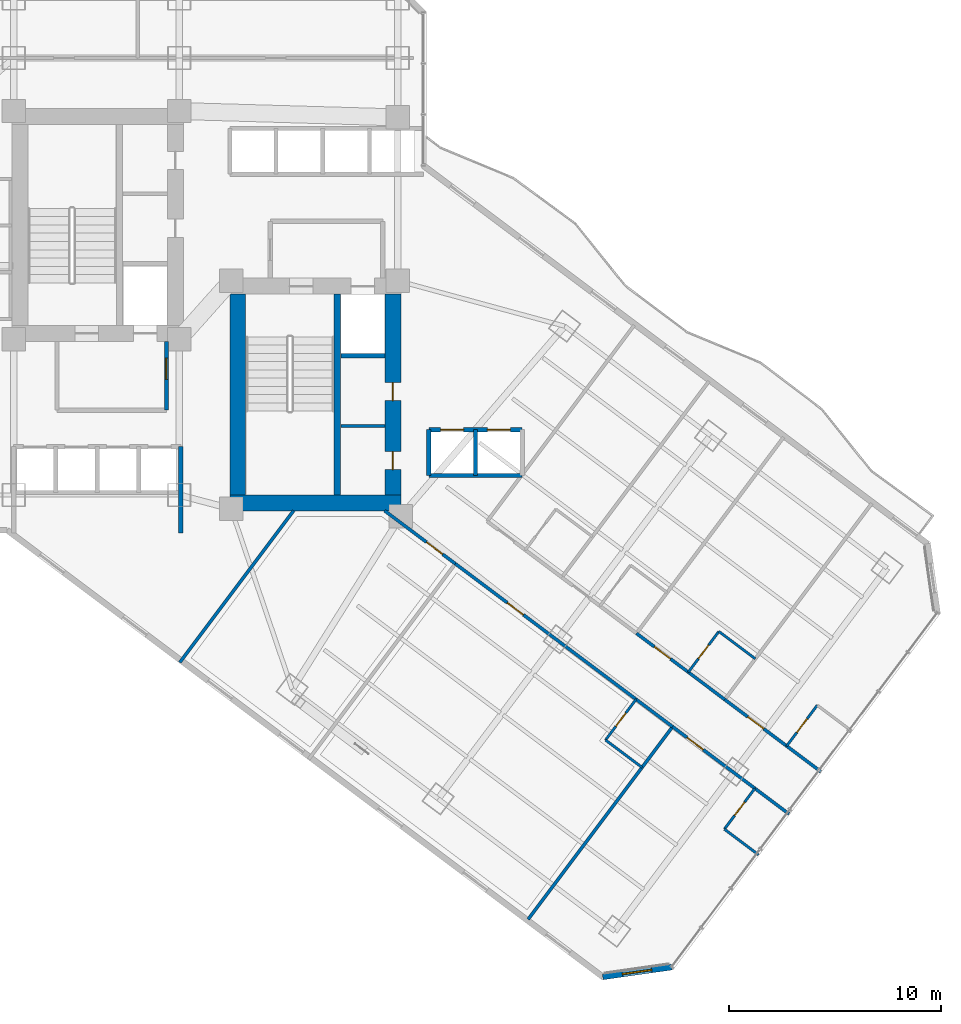
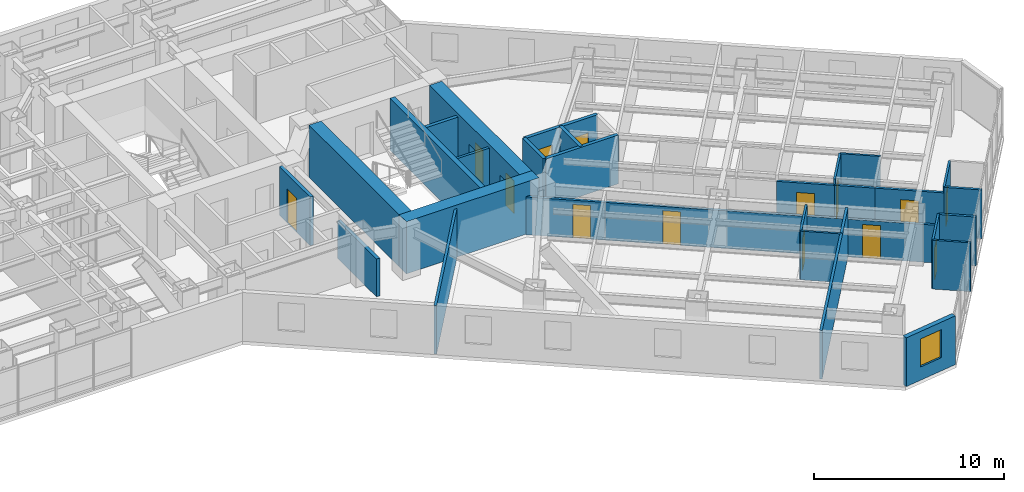
# One storey, part 23 of 32: 31 walls, 14 doors, 1 window, 15 openings.
"""IFC4 building model written with IfcOpenShell, lengths in metres."""

from ifc_helpers import new_model, si_unit, direction, frame, frame_2d, origin, place, context, subcontext, project, spatial, rectangle, extrude, material, layer, layer_set, type_object, element, fill, save


model = new_model("IFC4")

# Units and contexts
model_context = context("Model", 3, precision=1e-05, world=origin(), true_north=direction((0.0, 1.0)))
body_context = subcontext(model_context, "Body", "Model", "MODEL_VIEW")
ifc_project = project(units=[si_unit("LENGTHUNIT", "METRE"), si_unit("AREAUNIT", "SQUARE_METRE"), si_unit("VOLUMEUNIT", "CUBIC_METRE"), si_unit("PLANEANGLEUNIT", "RADIAN"), si_unit("MASSUNIT", "GRAM", prefix="KILO")], contexts=[model_context])

# Site, building, storey
site_placement = place(None, origin())
site = spatial("IfcSite", under=ifc_project, at=site_placement, CompositionType="ELEMENT")
building_placement = place(site_placement, origin())
building = spatial("IfcBuilding", under=site, at=building_placement, Name="Hatsunagi Terrace Concourse", CompositionType="ELEMENT")
storey_placement = place(building_placement, frame((0.0, 0.0, 46.64990234375)))
storey = spatial("IfcBuildingStorey", under=building, at=storey_placement, Name="L11", CompositionType="ELEMENT", Elevation=46.64990234375)

# Walls
ifc_material_1 = material(Name="Concrete Fc60", Category="concrete")
ifc_layer_1 = layer(ifc_material_1, 0.75)
ifc_layer_set_1 = layer_set([ifc_layer_1], Name="CoreShearWall_Fc60_750")
wall_type_1 = type_object("IfcWallType", Name="CoreShearWall_Fc60_750", PredefinedType="SHEAR", material=ifc_layer_set_1)
wall_1_placement = place(storey_placement, frame((35.739990234375, 24.81494140625, 0.0), z_axis=(0.0, 0.0, 1.0), x_axis=(1.0, 0.0, 0.0)))
element("IfcWall", 1, at=wall_1_placement, inside=storey, type_object=wall_type_1, Name="Core B Shear Wall S L11", PredefinedType="SHEAR", context=body_context, shape_type="SweptSolid", body=[
    extrude(rectangle(XDim=8.06005859375, YDim=0.75, at=frame_2d((4.030029296875, 0.0))), origin(), (0.0, 0.0, 1.0), 3.35009765625),
])
wall_2_placement = place(storey_placement, frame((36.114990234375, 25.18994140625, 0.0), z_axis=(0.0, 0.0, 1.0), x_axis=(0.0, 1.0, 0.0)))
element("IfcWall", 2, at=wall_2_placement, inside=storey, type_object=wall_type_1, Name="Core B Shear Wall W L11", PredefinedType="SHEAR", context=body_context, shape_type="SweptSolid", body=[
    extrude(rectangle(XDim=9.47998046875, YDim=0.75, at=frame_2d((4.739990234375, 0.0))), origin(), (0.0, 0.0, 1.0), 3.35009765625),
])

# Wall, openings, doors
wall_3_placement = place(storey_placement, frame((43.425048828125, 25.18994140625, 0.0), z_axis=(0.0, 0.0, 1.0), x_axis=(0.0, 1.0, 0.0)))
wall_3 = element("IfcWall", 3, at=wall_3_placement, inside=storey, type_object=wall_type_1, Name="Core B Shear Wall E L11", PredefinedType="SHEAR", context=body_context, shape_type="SweptSolid", body=[
    extrude(rectangle(XDim=9.47998046875, YDim=0.75, at=frame_2d((4.739990234375, 0.0))), origin(), (0.0, 0.0, 1.0), 3.35009765625),
])
opening_1_placement = place(wall_3_placement, frame((1.2099609375, 0.0, 0.0)))
opening_1 = element("IfcOpeningElement", 4, at=opening_1_placement, cuts=wall_3, Name="Opening DR-085", PredefinedType="OPENING", context=body_context, shape_type="SweptSolid", body=[
    extrude(rectangle(XDim=0.85009765625, YDim=2.080078125, at=frame_2d((0.425048828125, 1.0400390625))), frame((0.0, 0.385009765625, 0.0), z_axis=(0.0, -1.0, 0.0), x_axis=(1.0, 0.0, 0.0)), (0.0, 0.0, 1.0), 0.77001953125),
])
opening_2_placement = place(wall_3_placement, frame((4.4599609375, 0.0, 0.0)))
opening_2 = element("IfcOpeningElement", 5, at=opening_2_placement, cuts=wall_3, Name="Opening DR-085", PredefinedType="OPENING", context=body_context, shape_type="SweptSolid", body=[
    extrude(rectangle(XDim=0.85009765625, YDim=2.080078125, at=frame_2d((0.425048828125, 1.0400390625))), frame((0.0, 0.385009765625, 0.0), z_axis=(0.0, -1.0, 0.0), x_axis=(1.0, 0.0, 0.0)), (0.0, 0.0, 1.0), 0.77001953125),
])
ifc_material_2 = material(Name="Painted steel", Category="steel")
door_type_1 = type_object("IfcDoorType", Name="RiserAccessDoor_EI60_850", OperationType="NOTDEFINED", PredefinedType="DOOR", material=ifc_material_2)
door_1_placement = place(opening_1_placement, origin())
door_1 = element("IfcDoor", 6, at=door_1_placement, inside=storey, type_object=door_type_1, Name="Core B Riser Door L11-1", OperationType="SINGLE_SWING_RIGHT", OverallHeight=2.080078125, OverallWidth=0.85009765625, PredefinedType="DOOR", context=body_context, shape_type="SweptSolid", body=[
    extrude(rectangle(XDim=0.85009765625, YDim=2.080078125, at=frame_2d((0.425048828125, 1.0400390625))), frame((0.0, 0.02490234375, 0.0), z_axis=(0.0, -1.0, 0.0), x_axis=(1.0, 0.0, 0.0)), (0.0, 0.0, 1.0), 0.050048828125),
])
fill(opening_1, door_1)
door_2_placement = place(opening_2_placement, origin())
door_2 = element("IfcDoor", 7, at=door_2_placement, inside=storey, type_object=door_type_1, Name="Core B Riser Door L11-2", OperationType="SINGLE_SWING_RIGHT", OverallHeight=2.080078125, OverallWidth=0.85009765625, PredefinedType="DOOR", context=body_context, shape_type="SweptSolid", body=[
    extrude(rectangle(XDim=0.85009765625, YDim=2.080078125, at=frame_2d((0.425048828125, 1.0400390625))), frame((0.0, 0.02490234375, 0.0), z_axis=(0.0, -1.0, 0.0), x_axis=(1.0, 0.0, 0.0)), (0.0, 0.0, 1.0), 0.050048828125),
])
fill(opening_2, door_2)

# Wall
ifc_material_3 = material(Name="Concrete Fc48", Category="concrete")
ifc_layer_2 = layer(ifc_material_3, 0.300048828125)
ifc_layer_set_2 = layer_set([ifc_layer_2], Name="CoreStairDivider_Fc48_300")
wall_type_2 = type_object("IfcWallType", Name="CoreStairDivider_Fc48_300", PredefinedType="SHEAR", material=ifc_layer_set_2)
wall_4_placement = place(storey_placement, frame((40.81005859375, 25.18994140625, 0.0), z_axis=(0.0, 0.0, 1.0), x_axis=(0.0, 1.0, 0.0)))
element("IfcWall", 8, at=wall_4_placement, inside=storey, type_object=wall_type_2, Name="Core B Shear Wall D L11", PredefinedType="SHEAR", context=body_context, shape_type="SweptSolid", body=[
    extrude(rectangle(XDim=9.47998046875, YDim=0.300048828125, at=frame_2d((4.739990234375, 0.0))), origin(), (0.0, 0.0, 1.0), 3.35009765625),
])

# Wall, opening, door
ifc_material_4 = material(Name="Acoustic mineral board", Category="gypsum")
ifc_layer_3 = layer(ifc_material_4, 0.1201171875)
ifc_layer_set_3 = layer_set([ifc_layer_3], Name="PartitionWall_EI30_120")
wall_type_3 = type_object("IfcWallType", Name="PartitionWall_EI30_120", PredefinedType="PARTITIONING", material=ifc_layer_set_3)
wall_5_placement = place(storey_placement, frame((57.35009765625, 16.85009765625, 0.0), z_axis=(0.0, 0.0, 1.0), x_axis=(0.6, 0.8, 0.0)))
wall_5 = element("IfcWall", 9, at=wall_5_placement, inside=storey, type_object=wall_type_3, Name="Interior Partition IW-L11-094", PredefinedType="PARTITIONING", context=body_context, shape_type="SweptSolid", body=[
    extrude(rectangle(XDim=2.39990234375, YDim=0.1201171875, at=frame_2d((1.199951171875, 0.0))), origin(), (0.0, 0.0, 1.0), 3.130126953125),
])
opening_3_placement = place(wall_5_placement, frame((0.800048828125, 0.0, 0.0)))
opening_3 = element("IfcOpeningElement", 10, at=opening_3_placement, cuts=wall_5, Name="Opening DR-080", PredefinedType="OPENING", context=body_context, shape_type="SweptSolid", body=[
    extrude(rectangle(XDim=0.800048828125, YDim=2.06005859375, at=frame_2d((0.39990234375, 1.030029296875))), frame((0.0, 0.070068359375, 0.0), z_axis=(0.0, -1.0, 0.0), x_axis=(1.0, 0.0, 0.0)), (0.0, 0.0, 1.0), 0.14013671875),
])
ifc_material_5 = material(Name="Hardwood timber", Category="wood")
door_type_2 = type_object("IfcDoorType", Name="BathroomDoor_800", OperationType="NOTDEFINED", PredefinedType="DOOR", material=ifc_material_5)
door_3_placement = place(opening_3_placement, origin())
door_3 = element("IfcDoor", 11, at=door_3_placement, inside=storey, type_object=door_type_2, Name="En-Suite Bathroom L11-SENE3 Door", OperationType="SINGLE_SWING_LEFT", OverallHeight=2.06005859375, OverallWidth=0.800048828125, PredefinedType="DOOR", context=body_context, shape_type="SweptSolid", body=[
    extrude(rectangle(XDim=0.800048828125, YDim=2.06005859375, at=frame_2d((0.39990234375, 1.030029296875))), frame((0.0, 0.02490234375, 0.0), z_axis=(0.0, -1.0, 0.0), x_axis=(1.0, 0.0, 0.0)), (0.0, 0.0, 1.0), 0.050048828125),
])
fill(opening_3, door_3)

# Wall
wall_6_placement = place(storey_placement, frame((58.7900390625, 18.77001953125, 0.0), z_axis=(0.0, 0.0, 1.0), x_axis=(0.79998637334, -0.60001816845, 0.0)))
element("IfcWall", 12, at=wall_6_placement, inside=storey, type_object=wall_type_3, Name="Interior Partition IW-L11-095", PredefinedType="PARTITIONING", context=body_context, shape_type="SweptSolid", body=[
    extrude(rectangle(XDim=2.14990234375, YDim=0.1201171875, at=frame_2d((1.074951171875, 0.0))), origin(), (0.0, 0.0, 1.0), 3.130126953125),
])

# Wall, opening, door
wall_7_placement = place(storey_placement, frame((61.989990234375, 13.3701171875, 0.0), z_axis=(0.0, 0.0, 1.0), x_axis=(0.6, 0.8, 0.0)))
wall_7 = element("IfcWall", 13, at=wall_7_placement, inside=storey, type_object=wall_type_3, Name="Interior Partition IW-L11-099", PredefinedType="PARTITIONING", context=body_context, shape_type="SweptSolid", body=[
    extrude(rectangle(XDim=2.39990234375, YDim=0.1201171875, at=frame_2d((1.199951171875, 0.0))), origin(), (0.0, 0.0, 1.0), 3.130126953125),
])
opening_4_placement = place(wall_7_placement, frame((0.800048828125, 0.0, 0.0)))
opening_4 = element("IfcOpeningElement", 14, at=opening_4_placement, cuts=wall_7, Name="Opening DR-080", PredefinedType="OPENING", context=body_context, shape_type="SweptSolid", body=[
    extrude(rectangle(XDim=0.800048828125, YDim=2.06005859375, at=frame_2d((0.39990234375, 1.030029296875))), frame((0.0, 0.070068359375, 0.0), z_axis=(0.0, -1.0, 0.0), x_axis=(1.0, 0.0, 0.0)), (0.0, 0.0, 1.0), 0.14013671875),
])
door_4_placement = place(opening_4_placement, origin())
door_4 = element("IfcDoor", 15, at=door_4_placement, inside=storey, type_object=door_type_2, Name="En-Suite Bathroom L11-SENE4 Door", OperationType="SINGLE_SWING_RIGHT", OverallHeight=2.06005859375, OverallWidth=0.800048828125, PredefinedType="DOOR", context=body_context, shape_type="SweptSolid", body=[
    extrude(rectangle(XDim=0.800048828125, YDim=2.06005859375, at=frame_2d((0.39990234375, 1.030029296875))), frame((0.0, 0.02490234375, 0.0), z_axis=(0.0, -1.0, 0.0), x_axis=(1.0, 0.0, 0.0)), (0.0, 0.0, 1.0), 0.050048828125),
])
fill(opening_4, door_4)

wall_8_placement = place(storey_placement, frame((53.449951171875, 13.64990234375, 0.0), z_axis=(0.0, 0.0, 1.0), x_axis=(0.599951172744, 0.800036618114, 0.0)))
wall_8 = element("IfcWall", 16, at=wall_8_placement, inside=storey, type_object=wall_type_3, Name="Interior Partition IW-L11-103", PredefinedType="PARTITIONING", context=body_context, shape_type="SweptSolid", body=[
    extrude(rectangle(XDim=2.400146484375, YDim=0.1201171875, at=frame_2d((1.2001953125, 0.0))), origin(), (0.0, 0.0, 1.0), 3.130126953125),
])
opening_5_placement = place(wall_8_placement, frame((0.800048828125, 0.0, 0.0)))
opening_5 = element("IfcOpeningElement", 17, at=opening_5_placement, cuts=wall_8, Name="Opening DR-080", PredefinedType="OPENING", context=body_context, shape_type="SweptSolid", body=[
    extrude(rectangle(XDim=0.800048828125, YDim=2.06005859375, at=frame_2d((0.39990234375, 1.030029296875))), frame((0.0, 0.070068359375, 0.0), z_axis=(0.0, -1.0, 0.0), x_axis=(1.0, 0.0, 0.0)), (0.0, 0.0, 1.0), 0.14013671875),
])
door_5_placement = place(opening_5_placement, origin())
door_5 = element("IfcDoor", 18, at=door_5_placement, inside=storey, type_object=door_type_2, Name="En-Suite Bathroom L11-SESW1 Door", OperationType="SINGLE_SWING_RIGHT", OverallHeight=2.06005859375, OverallWidth=0.800048828125, PredefinedType="DOOR", context=body_context, shape_type="SweptSolid", body=[
    extrude(rectangle(XDim=0.800048828125, YDim=2.06005859375, at=frame_2d((0.39990234375, 1.030029296875))), frame((0.0, 0.02490234375, 0.0), z_axis=(0.0, -1.0, 0.0), x_axis=(1.0, 0.0, 0.0)), (0.0, 0.0, 1.0), 0.050048828125),
])
fill(opening_5, door_5)

# Wall
wall_9_placement = place(storey_placement, frame((53.449951171875, 13.64990234375, 0.0), z_axis=(0.0, 0.0, 1.0), x_axis=(0.800040880289, -0.59994548908, 0.0)))
element("IfcWall", 19, at=wall_9_placement, inside=storey, type_object=wall_type_3, Name="Interior Partition IW-L11-104", PredefinedType="PARTITIONING", context=body_context, shape_type="SweptSolid", body=[
    extrude(rectangle(XDim=2.14990234375, YDim=0.1201171875, at=frame_2d((1.074951171875, 0.0))), origin(), (0.0, 0.0, 1.0), 3.130126953125),
])

# Wall, opening, door
wall_10_placement = place(storey_placement, frame((59.050048828125, 9.449951171875, 0.0), z_axis=(0.0, 0.0, 1.0), x_axis=(0.599951172744, 0.800036618114, 0.0)))
wall_10 = element("IfcWall", 20, at=wall_10_placement, inside=storey, type_object=wall_type_3, Name="Interior Partition IW-L11-108", PredefinedType="PARTITIONING", context=body_context, shape_type="SweptSolid", body=[
    extrude(rectangle(XDim=2.400146484375, YDim=0.1201171875, at=frame_2d((1.2001953125, 0.0))), origin(), (0.0, 0.0, 1.0), 3.130126953125),
])
opening_6_placement = place(wall_10_placement, frame((0.800048828125, 0.0, 0.0)))
opening_6 = element("IfcOpeningElement", 21, at=opening_6_placement, cuts=wall_10, Name="Opening DR-080", PredefinedType="OPENING", context=body_context, shape_type="SweptSolid", body=[
    extrude(rectangle(XDim=0.800048828125, YDim=2.06005859375, at=frame_2d((0.39990234375, 1.030029296875))), frame((0.0, 0.070068359375, 0.0), z_axis=(0.0, -1.0, 0.0), x_axis=(1.0, 0.0, 0.0)), (0.0, 0.0, 1.0), 0.14013671875),
])
door_6_placement = place(opening_6_placement, origin())
door_6 = element("IfcDoor", 22, at=door_6_placement, inside=storey, type_object=door_type_2, Name="En-Suite Bathroom L11-SESW2 Door", OperationType="SINGLE_SWING_RIGHT", OverallHeight=2.06005859375, OverallWidth=0.800048828125, PredefinedType="DOOR", context=body_context, shape_type="SweptSolid", body=[
    extrude(rectangle(XDim=0.800048828125, YDim=2.06005859375, at=frame_2d((0.39990234375, 1.030029296875))), frame((0.0, 0.02490234375, 0.0), z_axis=(0.0, -1.0, 0.0), x_axis=(1.0, 0.0, 0.0)), (0.0, 0.0, 1.0), 0.050048828125),
])
fill(opening_6, door_6)

# Walls
wall_11_placement = place(storey_placement, frame((59.050048828125, 9.449951171875, 0.0), z_axis=(0.0, 0.0, 1.0), x_axis=(0.79997084737, -0.600038868206, 0.0)))
element("IfcWall", 23, at=wall_11_placement, inside=storey, type_object=wall_type_3, Name="Interior Partition IW-L11-109", PredefinedType="PARTITIONING", context=body_context, shape_type="SweptSolid", body=[
    extrude(rectangle(XDim=2.010009765625, YDim=0.1201171875, at=frame_2d((1.0048828125, 0.0))), origin(), (0.0, 0.0, 1.0), 3.130126953125),
])
ifc_material_6 = material(Name="Acoustic mineral board", Category="gypsum")
ifc_layer_4 = layer(ifc_material_6, 0.14990234375)
ifc_layer_set_4 = layer_set([ifc_layer_4], Name="PartitionWall_EI60_150")
wall_type_4 = type_object("IfcWallType", Name="PartitionWall_EI60_150", PredefinedType="PARTITIONING", material=ifc_layer_set_4)
wall_12_placement = place(storey_placement, frame((40.969970703125, 28.449951171875, 0.0), z_axis=(0.0, 0.0, 1.0), x_axis=(1.0, 0.0, 0.0)))
element("IfcWall", 24, at=wall_12_placement, inside=storey, type_object=wall_type_4, Name="Interior Partition IW-L11-004", PredefinedType="PARTITIONING", context=body_context, shape_type="SweptSolid", body=[
    extrude(rectangle(XDim=2.080078125, YDim=0.14990234375, at=frame_2d((1.0400390625, 0.0))), origin(), (0.0, 0.0, 1.0), 3.130126953125),
])

# Wall, opening, door
wall_13_placement = place(storey_placement, frame((43.037109375, 24.4599609375, 0.0), z_axis=(0.0, 0.0, 1.0), x_axis=(0.799971872363, -0.600037501685, 0.0)))
wall_13 = element("IfcWall", 25, at=wall_13_placement, inside=storey, type_object=wall_type_4, Name="Interior Partition IW-L11-041", PredefinedType="PARTITIONING", context=body_context, shape_type="SweptSolid", body=[
    extrude(rectangle(XDim=4.16650390625, YDim=0.14990234375, at=frame_2d((2.083251953125, 0.0))), origin(), (0.0, 0.0, 1.0), 2.425048828125),
])
opening_7_placement = place(wall_13_placement, frame((2.468017578125, 0.0, 0.0)))
opening_7 = element("IfcOpeningElement", 26, at=opening_7_placement, cuts=wall_13, Name="Opening DR-095", PredefinedType="OPENING", context=body_context, shape_type="SweptSolid", body=[
    extrude(rectangle(XDim=0.949951171875, YDim=2.14990234375, at=frame_2d((0.47509765625, 1.074951171875))), frame((0.0, 0.0849609375, 0.0), z_axis=(0.0, -1.0, 0.0), x_axis=(1.0, 0.0, 0.0)), (0.0, 0.0, 1.0), 0.169921875),
])
ifc_material_7 = material(Name="Hardwood timber", Category="wood")
door_type_3 = type_object("IfcDoorType", Name="InteriorSuiteDoor_EI30_950", OperationType="NOTDEFINED", PredefinedType="DOOR", material=ifc_material_7)
door_7_placement = place(opening_7_placement, origin())
door_7 = element("IfcDoor", 27, at=door_7_placement, inside=storey, type_object=door_type_3, Name="Meeting Room L11-HMTG Door", OperationType="SINGLE_SWING_RIGHT", OverallHeight=2.14990234375, OverallWidth=0.949951171875, PredefinedType="DOOR", context=body_context, shape_type="SweptSolid", body=[
    extrude(rectangle(XDim=0.949951171875, YDim=2.14990234375, at=frame_2d((0.47509765625, 1.074951171875))), frame((0.0, 0.02490234375, 0.0), z_axis=(0.0, -1.0, 0.0), x_axis=(1.0, 0.0, 0.0)), (0.0, 0.0, 1.0), 0.050048828125),
])
fill(opening_7, door_7)

# Wall
wall_14_placement = place(storey_placement, frame((33.384033203125, 17.31201171875, 0.0), z_axis=(0.0, 0.0, 1.0), x_axis=(0.600008743659, 0.799993442181, 0.0)))
element("IfcWall", 28, at=wall_14_placement, inside=storey, type_object=wall_type_4, Name="Interior Partition IW-L11-042", PredefinedType="PARTITIONING", context=body_context, shape_type="SweptSolid", body=[
    extrude(rectangle(XDim=8.93505859375, YDim=0.14990234375, at=frame_2d((4.467529296875, 0.0))), origin(), (0.0, 0.0, 1.0), 3.130126953125),
])

# Wall, opening, door
wall_15_placement = place(storey_placement, frame((54.909912109375, 18.679931640625, 0.0), z_axis=(0.0, 0.0, 1.0), x_axis=(0.800048024332, -0.599935962218, 0.0)))
wall_15 = element("IfcWall", 29, at=wall_15_placement, inside=storey, type_object=wall_type_4, Name="Interior Partition IW-L11-092", PredefinedType="PARTITIONING", context=body_context, shape_type="SweptSolid", body=[
    extrude(rectangle(XDim=3.050048828125, YDim=0.14990234375, at=frame_2d((1.52490234375, 0.0))), origin(), (0.0, 0.0, 1.0), 2.775146484375),
])
opening_8_placement = place(wall_15_placement, frame((1.050048828125, 0.0, 0.0)))
opening_8 = element("IfcOpeningElement", 30, at=opening_8_placement, cuts=wall_15, Name="Opening DR-095", PredefinedType="OPENING", context=body_context, shape_type="SweptSolid", body=[
    extrude(rectangle(XDim=0.949951171875, YDim=2.14990234375, at=frame_2d((0.47509765625, 1.074951171875))), frame((0.0, 0.0849609375, 0.0), z_axis=(0.0, -1.0, 0.0), x_axis=(1.0, 0.0, 0.0)), (0.0, 0.0, 1.0), 0.169921875),
])
door_8_placement = place(opening_8_placement, origin())
door_8 = element("IfcDoor", 31, at=door_8_placement, inside=storey, type_object=door_type_3, Name="Hotel Guest Room L11-SENE3 Door", OperationType="SINGLE_SWING_LEFT", OverallHeight=2.14990234375, OverallWidth=0.949951171875, PredefinedType="DOOR", context=body_context, shape_type="SweptSolid", body=[
    extrude(rectangle(XDim=0.949951171875, YDim=2.14990234375, at=frame_2d((0.47509765625, 1.074951171875))), frame((0.0, 0.02490234375, 0.0), z_axis=(0.0, -1.0, 0.0), x_axis=(1.0, 0.0, 0.0)), (0.0, 0.0, 1.0), 0.050048828125),
])
fill(opening_8, door_8)

# Wall
wall_16_placement = place(storey_placement, frame((57.35009765625, 16.85009765625, 0.0), z_axis=(0.0, 0.0, 1.0), x_axis=(0.79998637334, -0.60001816845, 0.0)))
element("IfcWall", 32, at=wall_16_placement, inside=storey, type_object=wall_type_4, Name="Interior Partition IW-L11-093", PredefinedType="PARTITIONING", context=body_context, shape_type="SweptSolid", body=[
    extrude(rectangle(XDim=2.14990234375, YDim=0.14990234375, at=frame_2d((1.074951171875, 0.0))), origin(), (0.0, 0.0, 1.0), 2.775146484375),
])

# Wall, opening, door
wall_17_placement = place(storey_placement, frame((59.070068359375, 15.56005859375, 0.0), z_axis=(0.0, 0.0, 1.0), x_axis=(0.8, -0.6, 0.0)))
wall_17 = element("IfcWall", 33, at=wall_17_placement, inside=storey, type_object=wall_type_4, Name="Interior Partition IW-L11-097", PredefinedType="PARTITIONING", context=body_context, shape_type="SweptSolid", body=[
    extrude(rectangle(XDim=3.64990234375, YDim=0.14990234375, at=frame_2d((1.824951171875, 0.0))), origin(), (0.0, 0.0, 1.0), 2.775146484375),
])
opening_9_placement = place(wall_17_placement, frame((1.35009765625, 0.0, 0.0)))
opening_9 = element("IfcOpeningElement", 34, at=opening_9_placement, cuts=wall_17, Name="Opening DR-095", PredefinedType="OPENING", context=body_context, shape_type="SweptSolid", body=[
    extrude(rectangle(XDim=0.949951171875, YDim=2.14990234375, at=frame_2d((0.47509765625, 1.074951171875))), frame((0.0, 0.0849609375, 0.0), z_axis=(0.0, -1.0, 0.0), x_axis=(1.0, 0.0, 0.0)), (0.0, 0.0, 1.0), 0.169921875),
])
door_9_placement = place(opening_9_placement, origin())
door_9 = element("IfcDoor", 35, at=door_9_placement, inside=storey, type_object=door_type_3, Name="Hotel Guest Room L11-SENE4 Door", OperationType="SINGLE_SWING_LEFT", OverallHeight=2.14990234375, OverallWidth=0.949951171875, PredefinedType="DOOR", context=body_context, shape_type="SweptSolid", body=[
    extrude(rectangle(XDim=0.949951171875, YDim=2.14990234375, at=frame_2d((0.47509765625, 1.074951171875))), frame((0.0, 0.02490234375, 0.0), z_axis=(0.0, -1.0, 0.0), x_axis=(1.0, 0.0, 0.0)), (0.0, 0.0, 1.0), 0.050048828125),
])
fill(opening_9, door_9)

# Wall
wall_18_placement = place(storey_placement, frame((61.989990234375, 13.3701171875, 0.0), z_axis=(0.0, 0.0, 1.0), x_axis=(0.79997084737, -0.600038868206, 0.0)))
element("IfcWall", 36, at=wall_18_placement, inside=storey, type_object=wall_type_4, Name="Interior Partition IW-L11-098", PredefinedType="PARTITIONING", context=body_context, shape_type="SweptSolid", body=[
    extrude(rectangle(XDim=2.010009765625, YDim=0.14990234375, at=frame_2d((1.0048828125, 0.0))), origin(), (0.0, 0.0, 1.0), 3.130126953125),
])

# Wall, opening, door
wall_19_placement = place(storey_placement, frame((46.3701171875, 21.9599609375, 0.0), z_axis=(0.0, 0.0, 1.0), x_axis=(0.799997249048, -0.600003667918, 0.0)))
wall_19 = element("IfcWall", 37, at=wall_19_placement, inside=storey, type_object=wall_type_4, Name="Interior Partition IW-L11-101", PredefinedType="PARTITIONING", context=body_context, shape_type="SweptSolid", body=[
    extrude(rectangle(XDim=10.649658203125, YDim=0.14990234375, at=frame_2d((5.32470703125, 0.0))), origin(), (0.0, 0.0, 1.0), 2.425048828125),
])
opening_10_placement = place(wall_19_placement, frame((3.06201171875, 0.0, 0.0)))
opening_10 = element("IfcOpeningElement", 38, at=opening_10_placement, cuts=wall_19, Name="Opening DR-095", PredefinedType="OPENING", context=body_context, shape_type="SweptSolid", body=[
    extrude(rectangle(XDim=0.949951171875, YDim=2.14990234375, at=frame_2d((0.47509765625, 1.074951171875))), frame((0.0, 0.0849609375, 0.0), z_axis=(0.0, -1.0, 0.0), x_axis=(1.0, 0.0, 0.0)), (0.0, 0.0, 1.0), 0.169921875),
])
door_10_placement = place(opening_10_placement, origin())
door_10 = element("IfcDoor", 39, at=door_10_placement, inside=storey, type_object=door_type_3, Name="Corner Hotel Suite L11-SESW1 Door", OperationType="SINGLE_SWING_RIGHT", OverallHeight=2.14990234375, OverallWidth=0.949951171875, PredefinedType="DOOR", context=body_context, shape_type="SweptSolid", body=[
    extrude(rectangle(XDim=0.949951171875, YDim=2.14990234375, at=frame_2d((0.47509765625, 1.074951171875))), frame((0.0, 0.02490234375, 0.0), z_axis=(0.0, -1.0, 0.0), x_axis=(1.0, 0.0, 0.0)), (0.0, 0.0, 1.0), 0.050048828125),
])
fill(opening_10, door_10)

# Walls
wall_20_placement = place(storey_placement, frame((54.889892578125, 15.570068359375, 0.0), z_axis=(0.0, 0.0, 1.0), x_axis=(0.800027249606, -0.599963665473, 0.0)))
element("IfcWall", 40, at=wall_20_placement, inside=storey, type_object=wall_type_4, Name="Interior Partition IW-L11-102", PredefinedType="PARTITIONING", context=body_context, shape_type="SweptSolid", body=[
    extrude(rectangle(XDim=2.150146484375, YDim=0.14990234375, at=frame_2d((1.0751953125, 0.0))), origin(), (0.0, 0.0, 1.0), 2.425048828125),
])
wall_21_placement = place(storey_placement, frame((49.800048828125, 5.199951171875, 0.0), z_axis=(0.0, 0.0, 1.0), x_axis=(0.6, 0.8, 0.0)))
element("IfcWall", 41, at=wall_21_placement, inside=storey, type_object=wall_type_4, Name="Interior Partition IW-L11-105", PredefinedType="PARTITIONING", context=body_context, shape_type="SweptSolid", body=[
    extrude(rectangle(XDim=11.35009765625, YDim=0.14990234375, at=frame_2d((5.675048828125, 0.0))), origin(), (0.0, 0.0, 1.0), 3.130126953125),
])

# Wall, opening, door
wall_22_placement = place(storey_placement, frame((56.610107421875, 14.280029296875, 0.0), z_axis=(0.0, 0.0, 1.0), x_axis=(0.8, -0.6, 0.0)))
wall_22 = element("IfcWall", 42, at=wall_22_placement, inside=storey, type_object=wall_type_4, Name="Interior Partition IW-L11-106", PredefinedType="PARTITIONING", context=body_context, shape_type="SweptSolid", body=[
    extrude(rectangle(XDim=4.849853515625, YDim=0.14990234375, at=frame_2d((2.4248046875, 0.0))), origin(), (0.0, 0.0, 1.0), 2.425048828125),
])
opening_11_placement = place(wall_22_placement, frame((0.85107421875, 0.0, 0.0)))
opening_11 = element("IfcOpeningElement", 43, at=opening_11_placement, cuts=wall_22, Name="Opening DR-095", PredefinedType="OPENING", context=body_context, shape_type="SweptSolid", body=[
    extrude(rectangle(XDim=0.949951171875, YDim=2.14990234375, at=frame_2d((0.47509765625, 1.074951171875))), frame((0.0, 0.0849609375, 0.0), z_axis=(0.0, -1.0, 0.0), x_axis=(1.0, 0.0, 0.0)), (0.0, 0.0, 1.0), 0.169921875),
])
door_11_placement = place(opening_11_placement, origin())
door_11 = element("IfcDoor", 44, at=door_11_placement, inside=storey, type_object=door_type_3, Name="Corner Hotel Suite L11-SESW2 Door", OperationType="SINGLE_SWING_RIGHT", OverallHeight=2.14990234375, OverallWidth=0.949951171875, PredefinedType="DOOR", context=body_context, shape_type="SweptSolid", body=[
    extrude(rectangle(XDim=0.949951171875, YDim=2.14990234375, at=frame_2d((0.47509765625, 1.074951171875))), frame((0.0, 0.02490234375, 0.0), z_axis=(0.0, -1.0, 0.0), x_axis=(1.0, 0.0, 0.0)), (0.0, 0.0, 1.0), 0.050048828125),
])
fill(opening_11, door_11)

# Walls
wall_23_placement = place(storey_placement, frame((60.489990234375, 11.3701171875, 0.0), z_axis=(0.0, 0.0, 1.0), x_axis=(0.79997084737, -0.600038868206, 0.0)))
element("IfcWall", 45, at=wall_23_placement, inside=storey, type_object=wall_type_4, Name="Interior Partition IW-L11-107", PredefinedType="PARTITIONING", context=body_context, shape_type="SweptSolid", body=[
    extrude(rectangle(XDim=2.010009765625, YDim=0.14990234375, at=frame_2d((1.0048828125, 0.0))), origin(), (0.0, 0.0, 1.0), 3.130126953125),
])
ifc_material_8 = material(Name="Acoustic mineral board", Category="gypsum")
ifc_layer_5 = layer(ifc_material_8, 0.199951171875)
ifc_layer_set_5 = layer_set([ifc_layer_5], Name="ShaftWall_EI120_200")
wall_type_5 = type_object("IfcWallType", Name="ShaftWall_EI120_200", PredefinedType="STANDARD", material=ifc_layer_set_5)
wall_24_placement = place(storey_placement, frame((40.969970703125, 31.760009765625, 0.0), z_axis=(0.0, 0.0, 1.0), x_axis=(1.0, 0.0, 0.0)))
element("IfcWall", 46, at=wall_24_placement, inside=storey, type_object=wall_type_5, Name="Interior Partition IW-L11-003", PredefinedType="STANDARD", context=body_context, shape_type="SweptSolid", body=[
    extrude(rectangle(XDim=2.080078125, YDim=0.199951171875, at=frame_2d((1.0400390625, 0.0))), origin(), (0.0, 0.0, 1.0), 3.130126953125),
])

# Wall, opening, door
wall_25_placement = place(storey_placement, frame((32.75, 29.199951171875, 0.0), z_axis=(0.0, 0.0, 1.0), x_axis=(0.0, 1.0, 0.0)))
wall_25 = element("IfcWall", 47, at=wall_25_placement, inside=storey, type_object=wall_type_5, Name="Interior Partition IW-L11-007", PredefinedType="STANDARD", context=body_context, shape_type="SweptSolid", body=[
    extrude(rectangle(XDim=3.239990234375, YDim=0.199951171875, at=frame_2d((1.6201171875, 0.0))), origin(), (0.0, 0.0, 1.0), 3.130126953125),
])
opening_12_placement = place(wall_25_placement, frame((1.449951171875, 0.0, 0.0)))
opening_12 = element("IfcOpeningElement", 48, at=opening_12_placement, cuts=wall_25, Name="Opening DR-100F", PredefinedType="OPENING", context=body_context, shape_type="SweptSolid", body=[
    extrude(rectangle(XDim=1.0, YDim=2.199951171875, at=frame_2d((0.5, 1.10009765625))), frame((0.0, 0.10986328125, 0.0), z_axis=(0.0, -1.0, 0.0), x_axis=(1.0, 0.0, 0.0)), (0.0, 0.0, 1.0), 0.219970703125),
])
ifc_material_9 = material(Name="Painted steel", Category="steel")
door_type_4 = type_object("IfcDoorType", Name="FireDoor_EI60_1000", OperationType="NOTDEFINED", PredefinedType="DOOR", material=ifc_material_9)
door_12_placement = place(opening_12_placement, origin())
door_12 = element("IfcDoor", 49, at=door_12_placement, inside=storey, type_object=door_type_4, Name="Firefighting Lobby A Door L11", OperationType="SINGLE_SWING_RIGHT", OverallHeight=2.199951171875, OverallWidth=1.0, PredefinedType="DOOR", context=body_context, shape_type="SweptSolid", body=[
    extrude(rectangle(XDim=1.0, YDim=2.199951171875, at=frame_2d((0.5, 1.10009765625))), frame((0.0, 0.02490234375, 0.0), z_axis=(0.0, -1.0, 0.0), x_axis=(1.0, 0.0, 0.0)), (0.0, 0.0, 1.0), 0.050048828125),
])
fill(opening_12, door_12)

# Walls
wall_26_placement = place(storey_placement, frame((33.429931640625, 23.39990234375, 0.0), z_axis=(0.0, 0.0, 1.0), x_axis=(0.0, 1.0, 0.0)))
element("IfcWall", 50, at=wall_26_placement, inside=storey, type_object=wall_type_5, Name="Interior Partition IW-L11-012", PredefinedType="STANDARD", context=body_context, shape_type="SweptSolid", body=[
    extrude(rectangle(XDim=4.080078125, YDim=0.199951171875, at=frame_2d((2.0400390625, 0.0))), origin(), (0.0, 0.0, 1.0), 2.425048828125),
])
wall_27_placement = place(storey_placement, frame((45.1201171875, 26.1201171875, 0.0), z_axis=(0.0, 0.0, 1.0), x_axis=(1.0, 0.0, 0.0)))
element("IfcWall", 51, at=wall_27_placement, inside=storey, type_object=wall_type_5, Name="Interior Partition IW-L11-024", PredefinedType="STANDARD", context=body_context, shape_type="SweptSolid", body=[
    extrude(rectangle(XDim=4.39990234375, YDim=0.199951171875, at=frame_2d((2.199951171875, 0.0))), origin(), (0.0, 0.0, 1.0), 3.130126953125),
])
for number, where, z_axis, x_axis, name in (
    (52, (45.1201171875, 26.1201171875, 0.0), (0.0, 0.0, 1.0), (0.0, 1.0, 0.0), "Interior Partition IW-L11-025"),
    (53, (47.320068359375, 26.1201171875, 0.0), (0.0, 0.0, 1.0), (0.0, 1.0, 0.0), "Interior Partition IW-L11-027"),
):
    element("IfcWall", number, at=place(storey_placement, frame(where, z_axis=z_axis, x_axis=x_axis)), inside=storey, type_object=wall_type_5, Name=name, PredefinedType="STANDARD", context=body_context, shape_type="SweptSolid", body=[
        extrude(rectangle(XDim=2.159912109375, YDim=0.199951171875, at=frame_2d((1.080078125, 0.0))), origin(), (0.0, 0.0, 1.0), 3.130126953125),
    ])

# Wall, openings, doors
wall_28_placement = place(storey_placement, frame((45.1201171875, 28.280029296875, 0.0), z_axis=(0.0, 0.0, 1.0), x_axis=(1.0, 0.0, 0.0)))
wall_28 = element("IfcWall", 54, at=wall_28_placement, inside=storey, type_object=wall_type_5, Name="Interior Partition IW-L11-028", PredefinedType="STANDARD", context=body_context, shape_type="SweptSolid", body=[
    extrude(rectangle(XDim=4.39990234375, YDim=0.199951171875, at=frame_2d((2.199951171875, 0.0))), origin(), (0.0, 0.0, 1.0), 3.130126953125),
])
opening_13_placement = place(wall_28_placement, frame((0.56005859375, 0.0, 0.0)))
opening_13 = element("IfcOpeningElement", 55, at=opening_13_placement, cuts=wall_28, Name="Opening LD-03", PredefinedType="OPENING", context=body_context, shape_type="SweptSolid", body=[
    extrude(rectangle(XDim=1.080078125, YDim=2.14990234375, at=frame_2d((0.5400390625, 1.074951171875))), frame((0.0, 0.10986328125, 0.0), z_axis=(0.0, -1.0, 0.0), x_axis=(1.0, 0.0, 0.0)), (0.0, 0.0, 1.0), 0.219970703125),
])
opening_14_placement = place(wall_28_placement, frame((2.760009765625, 0.0, 0.0)))
opening_14 = element("IfcOpeningElement", 56, at=opening_14_placement, cuts=wall_28, Name="Opening LD-03", PredefinedType="OPENING", context=body_context, shape_type="SweptSolid", body=[
    extrude(rectangle(XDim=1.080078125, YDim=2.14990234375, at=frame_2d((0.5400390625, 1.074951171875))), frame((0.0, 0.10986328125, 0.0), z_axis=(0.0, -1.0, 0.0), x_axis=(1.0, 0.0, 0.0)), (0.0, 0.0, 1.0), 0.219970703125),
])
ifc_material_10 = material(Name="Stainless steel", Category="steel")
door_type_5 = type_object("IfcDoorType", Name="LiftLandingDoor_LD03", OperationType="SLIDING_TO_LEFT", PredefinedType="USERDEFINED", material=ifc_material_10)
door_13_placement = place(opening_13_placement, origin())
door_13 = element("IfcDoor", 57, at=door_13_placement, inside=storey, type_object=door_type_5, Name="Lift landing door PL-09 L11", ObjectType="SLIDING_LANDING_DOOR", OperationType="SLIDING_TO_LEFT", OverallHeight=2.14990234375, OverallWidth=1.080078125, PredefinedType="USERDEFINED", context=body_context, shape_type="SweptSolid", body=[
    extrude(rectangle(XDim=1.080078125, YDim=2.14990234375, at=frame_2d((0.5400390625, 1.074951171875))), frame((0.0, 0.02490234375, 0.0), z_axis=(0.0, -1.0, 0.0), x_axis=(1.0, 0.0, 0.0)), (0.0, 0.0, 1.0), 0.050048828125),
])
fill(opening_13, door_13)
door_14_placement = place(opening_14_placement, origin())
door_14 = element("IfcDoor", 58, at=door_14_placement, inside=storey, type_object=door_type_5, Name="Lift landing door PL-10 L11", ObjectType="SLIDING_LANDING_DOOR", OperationType="SLIDING_TO_LEFT", OverallHeight=2.14990234375, OverallWidth=1.080078125, PredefinedType="USERDEFINED", context=body_context, shape_type="SweptSolid", body=[
    extrude(rectangle(XDim=1.080078125, YDim=2.14990234375, at=frame_2d((0.5400390625, 1.074951171875))), frame((0.0, 0.02490234375, 0.0), z_axis=(0.0, -1.0, 0.0), x_axis=(1.0, 0.0, 0.0)), (0.0, 0.0, 1.0), 0.050048828125),
])
fill(opening_14, door_14)

# Wall, opening, window
ifc_material_11 = material(Name="Autoclaved Lightweight Concrete and Terracotta Cladding", Category="masonry")
ifc_layer_6 = layer(ifc_material_11, 0.280029296875)
ifc_layer_set_6 = layer_set([ifc_layer_6], Name="TerracottaSpandrelWall_280")
wall_type_6 = type_object("IfcWallType", Name="TerracottaSpandrelWall_280", PredefinedType="STANDARD", material=ifc_layer_set_6)
wall_29_placement = place(storey_placement, frame((56.56298828125, 2.949951171875, 0.0), z_axis=(0.0, 0.0, 1.0), x_axis=(-0.989977778067, -0.141223223777, 0.0)))
wall_29 = element("IfcWall", 59, at=wall_29_placement, inside=storey, type_object=wall_type_6, Name="Exterior Spandrel Wall EW-L11-04", PredefinedType="STANDARD", context=body_context, shape_type="SweptSolid", body=[
    extrude(rectangle(XDim=3.27783203125, YDim=0.280029296875, at=frame_2d((1.638916015625, 0.0))), origin(), (0.0, 0.0, 1.0), 3.130126953125),
])
opening_15_placement = place(wall_29_placement, frame((0.93896484375, 0.0, 0.85009765625)))
opening_15 = element("IfcOpeningElement", 60, at=opening_15_placement, cuts=wall_29, Name="Opening WIN-02", PredefinedType="OPENING", context=body_context, shape_type="SweptSolid", body=[
    extrude(rectangle(XDim=1.39990234375, YDim=1.800048828125, at=frame_2d((0.699951171875, 0.89990234375))), frame((0.0, 0.14990234375, 0.0), z_axis=(0.0, -1.0, 0.0), x_axis=(1.0, 0.0, 0.0)), (0.0, 0.0, 1.0), 0.300048828125),
])
ifc_material_12 = material(Name="Thermally Broken Aluminium and Low-E Triple Glazing", Category="aluminium")
window_type = type_object("IfcWindowType", Name="HotelOperableVentWindow_1400x1800", PartitioningType="DOUBLE_PANEL_VERTICAL", PredefinedType="WINDOW", material=ifc_material_12)
window_placement = place(opening_15_placement, origin())
window = element("IfcWindow", 61, at=window_placement, inside=storey, type_object=window_type, Name="Hotel Guestroom Window L11-04-1", OverallHeight=1.800048828125, OverallWidth=1.39990234375, PartitioningType="SINGLE_PANEL", PredefinedType="WINDOW", context=body_context, shape_type="SweptSolid", body=[
    extrude(rectangle(XDim=1.39990234375, YDim=1.800048828125, at=frame_2d((0.699951171875, 0.89990234375))), frame((0.0, 0.030029296875, 0.0), z_axis=(0.0, -1.0, 0.0), x_axis=(1.0, 0.0, 0.0)), (0.0, 0.0, 1.0), 0.06005859375),
])
fill(opening_15, window)

save(model, "model.ifc")
